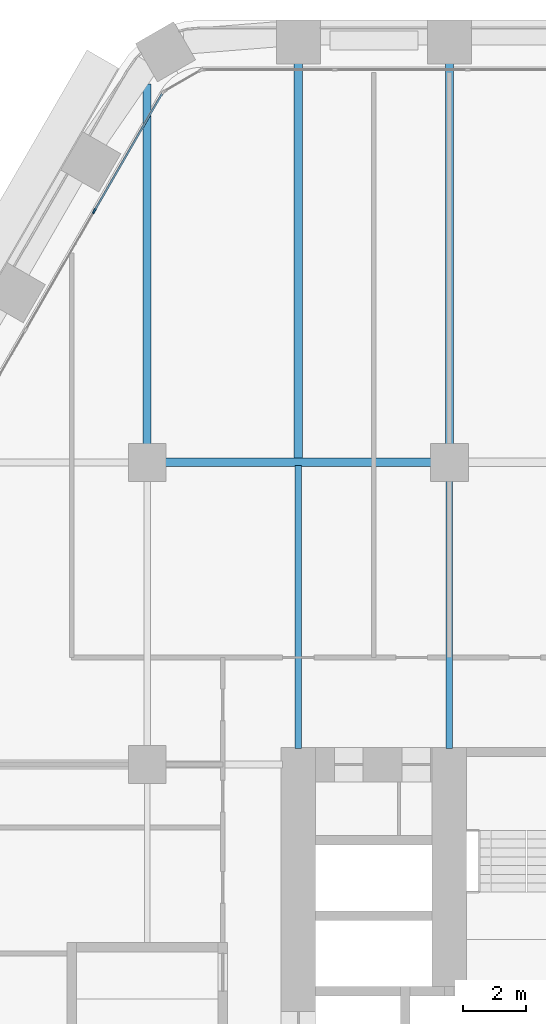
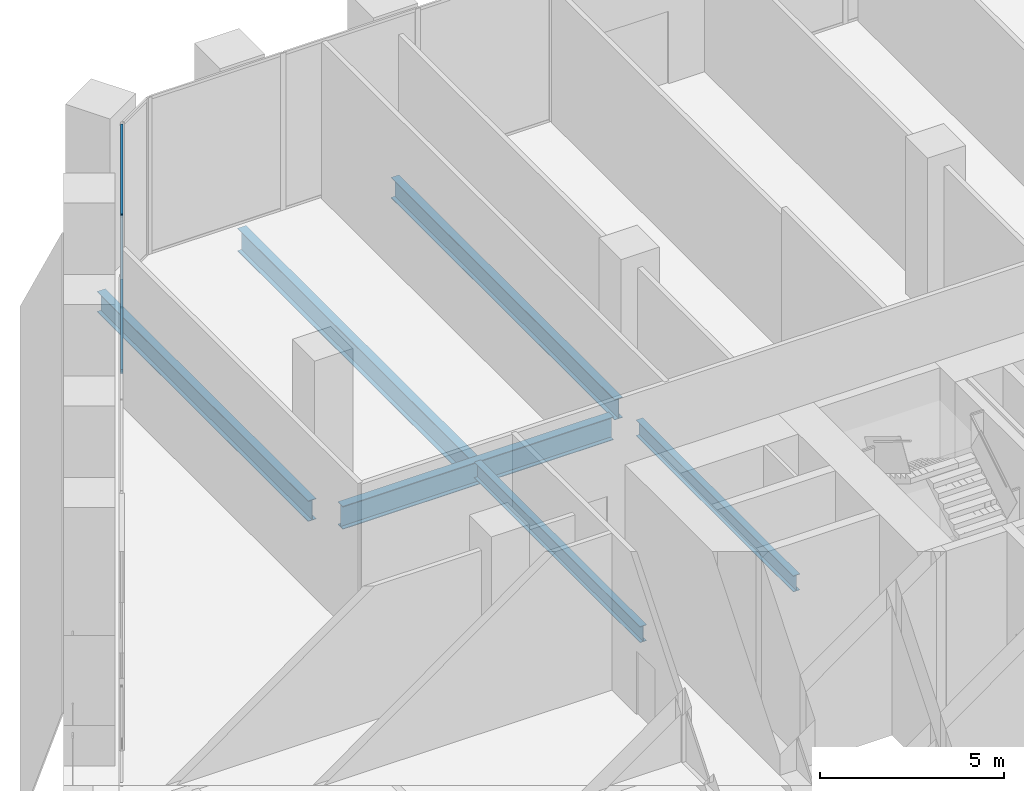
# One storey, part 8 of 27: 6 beams, 3 members, 1 element without a shape of its own.
"""IFC4 building model written with IfcOpenShell, lengths in metres."""

from ifc_helpers import new_model, si_unit, direction, frame, origin, origin_2d, place, context, subcontext, project, spatial, rectangle, i_section, extrude, material, material_profile, profile_set, type_object, element, aggregate, save


model = new_model("IFC4")

# Units and contexts
model_context = context("Model", 3, precision=1e-05, world=origin(), true_north=direction((0.0, 1.0)))
body_context = subcontext(model_context, "Body", "Model", "MODEL_VIEW")
ifc_project = project(units=[si_unit("LENGTHUNIT", "METRE"), si_unit("AREAUNIT", "SQUARE_METRE"), si_unit("VOLUMEUNIT", "CUBIC_METRE"), si_unit("PLANEANGLEUNIT", "RADIAN"), si_unit("MASSUNIT", "GRAM", prefix="KILO")], contexts=[model_context])

# Site, building, storey
site_placement = place(None, origin())
site = spatial("IfcSite", under=ifc_project, at=site_placement, CompositionType="ELEMENT")
building_placement = place(site_placement, origin())
building = spatial("IfcBuilding", under=site, at=building_placement, Name="Kolab Exchange Tower", CompositionType="ELEMENT")
storey_placement = place(building_placement, frame((0.0, 0.0, 66.39990234375)))
storey = spatial("IfcBuildingStorey", under=building, at=storey_placement, Name="L12", CompositionType="ELEMENT", Elevation=66.39990234375)

# Beams
ifc_material_1 = material(Name="Steel S355", Category="steel")
ifc_material_profile_1 = material_profile(ifc_material_1, i_section(OverallWidth=0.208984375, OverallDepth=0.532958984375, WebThickness=0.01025390625, FlangeThickness=0.015625, at=origin_2d()), Name="W530X92")
ifc_profile_set_1 = profile_set([ifc_material_profile_1], Name="Steel S355")
beam_type_1 = type_object("IfcBeamType", Name="FLOOR BEAM W530X92", PredefinedType="BEAM", material=ifc_profile_set_1)
beam_1_placement = place(storey_placement, frame((-14.39990234375, 10.110107421875, -0.56640625), z_axis=(0.0, 1.0, 0.0), x_axis=(-1.0, 0.0, 0.0)))
element("IfcBeam", 1, at=beam_1_placement, inside=storey, type_object=beam_type_1, Name="beam/L12/fr/020", PredefinedType="BEAM", context=body_context, shape_type="SweptSolid", body=[
    extrude(i_section(OverallWidth=0.208984375, OverallDepth=0.532958984375, WebThickness=0.01025390625, FlangeThickness=0.015625, at=origin_2d()), origin(), (0.0, 0.0, 1.0), 8.996337890625),
])
beam_2_placement = place(storey_placement, frame((-9.60009765625, 10.110107421875, -0.56640625), z_axis=(0.0, 1.0, 0.0), x_axis=(-1.0, 0.0, 0.0)))
element("IfcBeam", 2, at=beam_2_placement, inside=storey, type_object=beam_type_1, Name="beam/L12/fr/024", PredefinedType="BEAM", context=body_context, shape_type="SweptSolid", body=[
    extrude(i_section(OverallWidth=0.208984375, OverallDepth=0.532958984375, WebThickness=0.01025390625, FlangeThickness=0.015625, at=origin_2d()), origin(), (0.0, 0.0, 1.0), 8.52978515625),
])
ifc_material_profile_2 = material_profile(ifc_material_1, i_section(OverallWidth=0.25390625, OverallDepth=0.68408203125, WebThickness=0.012451171875, FlangeThickness=0.018798828125, at=origin_2d()), Name="W690X140")
ifc_profile_set_2 = profile_set([ifc_material_profile_2], Name="Steel S355")
beam_type_2 = type_object("IfcBeamType", Name="FLOOR BEAM W690X140", PredefinedType="BEAM", material=ifc_profile_set_2)
beam_3_placement = place(storey_placement, frame((-19.199951171875, 19.760009765625, -0.641845703125), z_axis=(0.0, 1.0, 0.0), x_axis=(-1.0, 0.0, 0.0)))
element("IfcBeam", 3, at=beam_3_placement, inside=storey, type_object=beam_type_2, Name="beam/L12/fr/017", PredefinedType="BEAM", context=body_context, shape_type="SweptSolid", body=[
    extrude(i_section(OverallWidth=0.25390625, OverallDepth=0.68408203125, WebThickness=0.012451171875, FlangeThickness=0.018798828125, at=origin_2d()), origin(), (0.0, 0.0, 1.0), 11.45458984375),
])
beam_4_placement = place(storey_placement, frame((-9.60009765625, 19.760009765625, -0.641845703125), z_axis=(0.0, 1.0, 0.0), x_axis=(-1.0, 0.0, 0.0)))
element("IfcBeam", 4, at=beam_4_placement, inside=storey, type_object=beam_type_2, Name="beam/L12/fr/025", PredefinedType="BEAM", context=body_context, shape_type="SweptSolid", body=[
    extrude(i_section(OverallWidth=0.25390625, OverallDepth=0.68408203125, WebThickness=0.012451171875, FlangeThickness=0.018798828125, at=origin_2d()), origin(), (0.0, 0.0, 1.0), 12.135498046875),
])
ifc_material_profile_3 = material_profile(ifc_material_1, i_section(OverallWidth=0.26708984375, OverallDepth=0.761962890625, WebThickness=0.014404296875, FlangeThickness=0.021484375, at=origin_2d()), Name="W760X173")
ifc_profile_set_3 = profile_set([ifc_material_profile_3], Name="Steel S355")
beam_type_3 = type_object("IfcBeamType", Name="FLOOR BEAM W760X173", PredefinedType="BEAM", material=ifc_profile_set_3)
beam_5_placement = place(storey_placement, frame((-14.39990234375, 19.29345703125, -0.680908203125), z_axis=(0.0, 1.0, 0.0), x_axis=(-1.0, 0.0, 0.0)))
element("IfcBeam", 5, at=beam_5_placement, inside=storey, type_object=beam_type_3, Name="beam/L12/fr/021", PredefinedType="BEAM", context=body_context, shape_type="SweptSolid", body=[
    extrude(i_section(OverallWidth=0.26708984375, OverallDepth=0.761962890625, WebThickness=0.014404296875, FlangeThickness=0.021484375, at=origin_2d()), origin(), (0.0, 0.0, 1.0), 12.60205078125),
])
ifc_material_profile_4 = material_profile(ifc_material_1, i_section(OverallWidth=0.26708984375, OverallDepth=0.761962890625, WebThickness=0.014404296875, FlangeThickness=0.021484375, at=origin_2d()), Name="W760X173")
ifc_profile_set_4 = profile_set([ifc_material_profile_4], Name="Steel S355")
beam_type_4 = type_object("IfcBeamType", Name="FLOOR GIRDER W760X173", PredefinedType="BEAM", material=ifc_profile_set_4)
beam_6_placement = place(storey_placement, frame((-18.639892578125, 19.199951171875, -0.680908203125), z_axis=(1.0, 0.0, 0.0), x_axis=(0.0, 1.0, 0.0)))
element("IfcBeam", 6, at=beam_6_placement, inside=storey, type_object=beam_type_4, Name="beam/L12/gd/009", PredefinedType="BEAM", context=body_context, shape_type="SweptSolid", body=[
    extrude(i_section(OverallWidth=0.26708984375, OverallDepth=0.761962890625, WebThickness=0.014404296875, FlangeThickness=0.021484375, at=origin_2d()), origin(), (0.0, 0.0, 1.0), 8.47998046875),
])

# Curtain wall, members
ifc_material_2 = material(Name="Aluminium EN AW-6063 T6", Category="aluminium")
curtain_wall_type = type_object("IfcCurtainWallType", Name="UNITISED LOW ZONE CURTAIN WALL", PredefinedType="NOTDEFINED", material=ifc_material_2)
curtain_wall_placement = place(storey_placement, origin())
curtain_wall = element("IfcCurtainWall", 7, at=curtain_wall_placement, inside=storey, type_object=curtain_wall_type, Name="cw/L12/F6-2", PredefinedType="NOTDEFINED")
ifc_material_profile_5 = material_profile(ifc_material_2, rectangle(XDim=0.06005859375, YDim=0.159912109375, at=origin_2d()), Name="RECT 60X160")
ifc_profile_set_5 = profile_set([ifc_material_profile_5], Name="Aluminium EN AW-6063 T6")
member_type_1 = type_object("IfcMemberType", Name="UNITISED LOW ZONE MULLION 60 X 160", PredefinedType="MULLION", material=ifc_profile_set_5)
member_1_placement = place(storey_placement, frame((-20.881103515625, 27.183349609375, 0.0), z_axis=(0.0, 0.0, 1.0), x_axis=(-0.866025397318, 0.5000000112, 0.0)))
member_1 = element("IfcMember", 8, at=member_1_placement, type_object=member_type_1, Name="CW1 mullion 4", PredefinedType="MULLION", context=body_context, shape_type="SweptSolid", body=[
    extrude(rectangle(XDim=0.06005859375, YDim=0.159912109375, at=origin_2d()), origin(), (0.0, 0.0, 1.0), 5.2001953125),
])
ifc_material_profile_6 = material_profile(ifc_material_2, rectangle(XDim=0.06005859375, YDim=0.10009765625, at=origin_2d()), Name="RECT 60X100")
ifc_profile_set_6 = profile_set([ifc_material_profile_6], Name="Aluminium EN AW-6063 T6")
member_type_2 = type_object("IfcMemberType", Name="UNITISED LOW ZONE TRANSOM 60 X 100", PredefinedType="USERDEFINED", material=ifc_profile_set_6)
member_2_placement = place(storey_placement, frame((-20.8662109375, 27.20947265625, 0.030029296875), z_axis=(0.500000816281, 0.866024932504, 0.0), x_axis=(-0.866024932504, 0.500000816281, 0.0)))
member_2 = element("IfcMember", 9, at=member_2_placement, type_object=member_type_2, Name="CW1 transom 4.1", ObjectType="TRANSOM", PredefinedType="USERDEFINED", context=body_context, shape_type="SweptSolid", body=[
    extrude(rectangle(XDim=0.06005859375, YDim=0.10009765625, at=origin_2d()), origin(), (0.0, 0.0, 1.0), 4.27685546875),
])
member_3_placement = place(storey_placement, frame((-20.8662109375, 27.20947265625, 5.170166015625), z_axis=(0.500000816281, 0.866024932504, 0.0), x_axis=(-0.866024932504, 0.500000816281, 0.0)))
member_3 = element("IfcMember", 10, at=member_3_placement, type_object=member_type_2, Name="CW1 transom 4.2", ObjectType="TRANSOM", PredefinedType="USERDEFINED", context=body_context, shape_type="SweptSolid", body=[
    extrude(rectangle(XDim=0.06005859375, YDim=0.10009765625, at=origin_2d()), origin(), (0.0, 0.0, 1.0), 4.27685546875),
])
aggregate(curtain_wall, [member_1, member_2, member_3])

save(model, "model.ifc")
